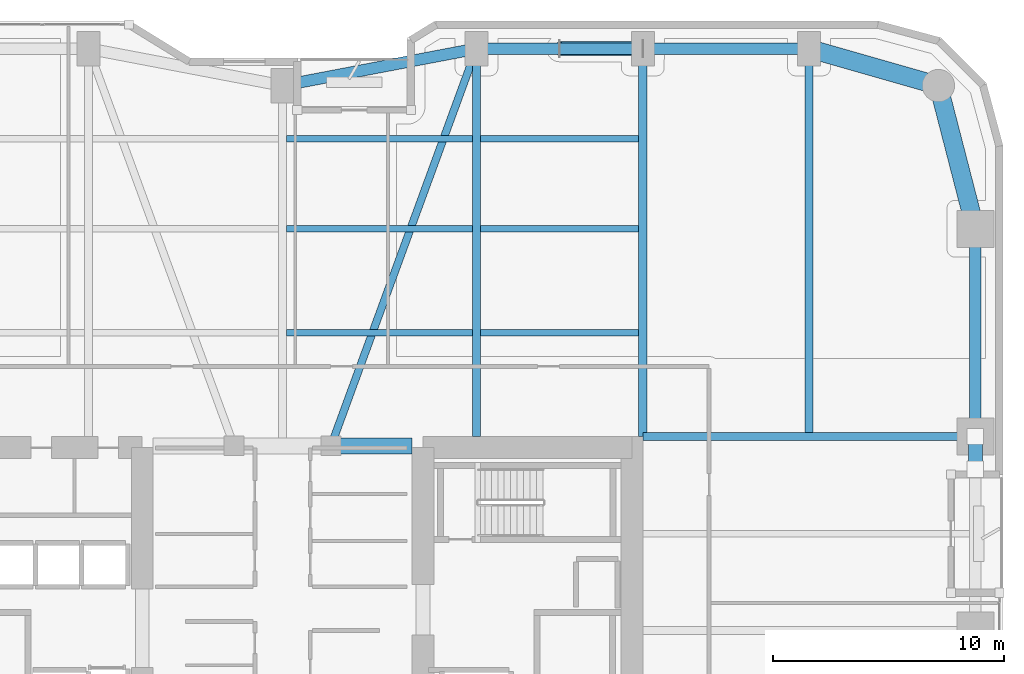
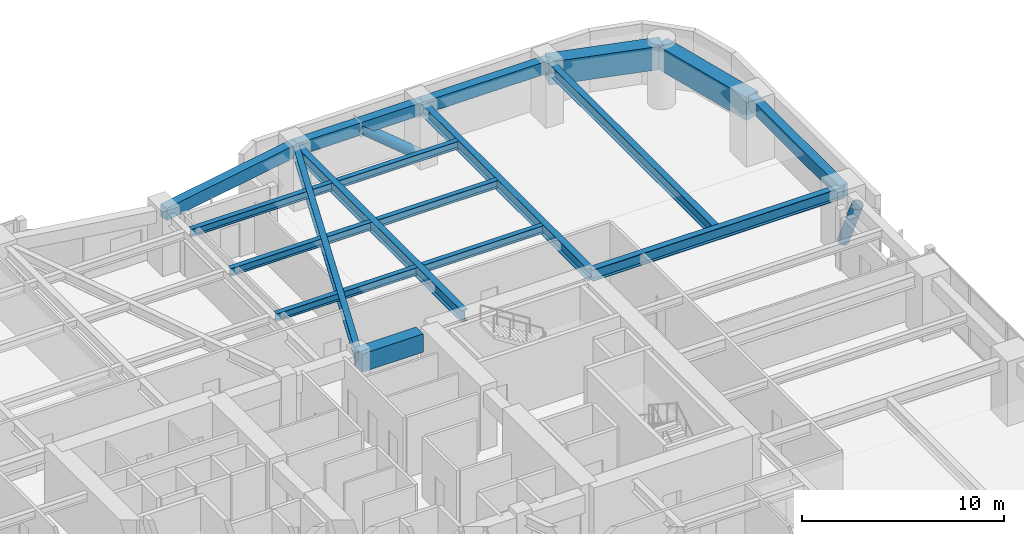
# One storey, part 18 of 28: 18 beams, 2 members.
"""IFC4 building model written with IfcOpenShell, lengths in metres."""

from ifc_helpers import new_model, si_unit, direction, frame, origin, origin_2d, place, context, subcontext, project, spatial, rectangle, hollow_circle, i_section, extrude, material, material_profile, profile_set, type_object, element, save


model = new_model("IFC4")

# Units and contexts
model_context = context("Model", 3, precision=1e-05, world=origin(), true_north=direction((0.0, 1.0)))
body_context = subcontext(model_context, "Body", "Model", "MODEL_VIEW")
ifc_project = project(units=[si_unit("LENGTHUNIT", "METRE"), si_unit("AREAUNIT", "SQUARE_METRE"), si_unit("VOLUMEUNIT", "CUBIC_METRE"), si_unit("PLANEANGLEUNIT", "RADIAN"), si_unit("MASSUNIT", "GRAM", prefix="KILO")], contexts=[model_context])

# Site, building, storey
site_placement = place(None, origin())
site = spatial("IfcSite", under=ifc_project, at=site_placement, CompositionType="ELEMENT")
building_placement = place(site_placement, origin())
building = spatial("IfcBuilding", under=site, at=building_placement, Name="Kiyonajd Concourse Tower", CompositionType="ELEMENT")
storey_placement = place(building_placement, frame((0.0, 0.0, 56.699951171875)))
storey = spatial("IfcBuildingStorey", under=building, at=storey_placement, Name="L15", CompositionType="ELEMENT", Elevation=56.699951171875)

# Beams
ifc_material_1 = material(Name="Concrete C70/85", Category="concrete")
ifc_material_profile_1 = material_profile(ifc_material_1, rectangle(XDim=0.699951171875, YDim=1.10009765625, at=origin_2d()), Name="RCBM-700x1100")
ifc_profile_set_1 = profile_set([ifc_material_profile_1], Name="Concrete C70/85")
beam_type_1 = type_object("IfcBeamType", Name="BM-COUP-1100", PredefinedType="LINTEL", material=ifc_profile_set_1)
beam_1_placement = place(storey_placement, frame((50.10009765625, 44.0, 3.090087890625), z_axis=(1.0, 0.0, 0.0), x_axis=(0.0, 1.0, 0.0)))
element("IfcBeam", 1, at=beam_1_placement, inside=storey, type_object=beam_type_1, Name="L15 Core Coupling Beam N3", PredefinedType="LINTEL", context=body_context, shape_type="SweptSolid", body=[
    extrude(rectangle(XDim=0.699951171875, YDim=1.10009765625, at=origin_2d()), origin(), (0.0, 0.0, 1.0), 3.5),
])
ifc_material_2 = material(Name="Steel ASTM A992 Grade 50", Category="steel")
ifc_material_profile_2 = material_profile(ifc_material_2, i_section(OverallWidth=0.280029296875, OverallDepth=0.462890625, WebThickness=0.0107421875, FlangeThickness=0.017333984375, at=origin_2d()), Name="W460X113")
ifc_profile_set_2 = profile_set([ifc_material_profile_2], Name="Steel ASTM A992 Grade 50")
beam_type_2 = type_object("IfcBeamType", Name="BM-JST-460A", PredefinedType="JOIST", material=ifc_profile_set_2)
beam_2_placement = place(storey_placement, frame((48.177490234375, 48.89990234375, 3.408447265625), z_axis=(1.0, 0.0, 0.0), x_axis=(0.0, 1.0, 0.0)))
element("IfcBeam", 2, at=beam_2_placement, inside=storey, type_object=beam_type_2, Name="L15 Secondary Floor Joist", PredefinedType="JOIST", context=body_context, shape_type="SweptSolid", body=[
    extrude(i_section(OverallWidth=0.280029296875, OverallDepth=0.462890625, WebThickness=0.0107421875, FlangeThickness=0.017333984375, at=origin_2d()), origin(), (0.0, 0.0, 1.0), 8.044921875),
])
beam_3_placement = place(storey_placement, frame((56.577392578125, 48.89990234375, 3.408447265625), z_axis=(1.0, 0.0, 0.0), x_axis=(0.0, 1.0, 0.0)))
element("IfcBeam", 3, at=beam_3_placement, inside=storey, type_object=beam_type_2, Name="L15 Secondary Floor Joist", PredefinedType="JOIST", context=body_context, shape_type="SweptSolid", body=[
    extrude(i_section(OverallWidth=0.280029296875, OverallDepth=0.462890625, WebThickness=0.0107421875, FlangeThickness=0.017333984375, at=origin_2d()), origin(), (0.0, 0.0, 1.0), 6.84521484375),
])
beam_4_placement = place(storey_placement, frame((48.177490234375, 53.39990234375, 3.408447265625), z_axis=(1.0, 0.0, 0.0), x_axis=(0.0, 1.0, 0.0)))
element("IfcBeam", 4, at=beam_4_placement, inside=storey, type_object=beam_type_2, Name="L15 Secondary Floor Joist", PredefinedType="JOIST", context=body_context, shape_type="SweptSolid", body=[
    extrude(i_section(OverallWidth=0.280029296875, OverallDepth=0.462890625, WebThickness=0.0107421875, FlangeThickness=0.017333984375, at=origin_2d()), origin(), (0.0, 0.0, 1.0), 8.044921875),
])
beam_5_placement = place(storey_placement, frame((56.577392578125, 53.39990234375, 3.408447265625), z_axis=(1.0, 0.0, 0.0), x_axis=(0.0, 1.0, 0.0)))
element("IfcBeam", 5, at=beam_5_placement, inside=storey, type_object=beam_type_2, Name="L15 Secondary Floor Joist", PredefinedType="JOIST", context=body_context, shape_type="SweptSolid", body=[
    extrude(i_section(OverallWidth=0.280029296875, OverallDepth=0.462890625, WebThickness=0.0107421875, FlangeThickness=0.017333984375, at=origin_2d()), origin(), (0.0, 0.0, 1.0), 6.84521484375),
])
beam_6_placement = place(storey_placement, frame((48.177490234375, 57.300048828125, 3.408447265625), z_axis=(1.0, 0.0, 0.0), x_axis=(0.0, 1.0, 0.0)))
element("IfcBeam", 6, at=beam_6_placement, inside=storey, type_object=beam_type_2, Name="L15 Secondary Floor Joist", PredefinedType="JOIST", context=body_context, shape_type="SweptSolid", body=[
    extrude(i_section(OverallWidth=0.280029296875, OverallDepth=0.462890625, WebThickness=0.0107421875, FlangeThickness=0.017333984375, at=origin_2d()), origin(), (0.0, 0.0, 1.0), 8.044921875),
])
beam_7_placement = place(storey_placement, frame((56.577392578125, 57.300048828125, 3.408447265625), z_axis=(1.0, 0.0, 0.0), x_axis=(0.0, 1.0, 0.0)))
element("IfcBeam", 7, at=beam_7_placement, inside=storey, type_object=beam_type_2, Name="L15 Secondary Floor Joist", PredefinedType="JOIST", context=body_context, shape_type="SweptSolid", body=[
    extrude(i_section(OverallWidth=0.280029296875, OverallDepth=0.462890625, WebThickness=0.0107421875, FlangeThickness=0.017333984375, at=origin_2d()), origin(), (0.0, 0.0, 1.0), 6.84521484375),
])
ifc_material_3 = material(Name="Precast concrete C50/60", Category="concrete")
ifc_material_profile_3 = material_profile(ifc_material_3, rectangle(XDim=0.5, YDim=0.75, at=origin_2d()), Name="RCBM-500x750")
ifc_profile_set_3 = profile_set([ifc_material_profile_3], Name="Precast concrete C50/60")
beam_type_3 = type_object("IfcBeamType", Name="BM-SPAN-RC", PredefinedType="SPANDREL", material=ifc_profile_set_3)
beam_8_placement = place(storey_placement, frame((78.0, 44.39990234375, 3.26513671875), z_axis=(0.0, 1.0, 0.0), x_axis=(-1.0, 0.0, 0.0)))
element("IfcBeam", 8, at=beam_8_placement, inside=storey, type_object=beam_type_3, Name="L15 Perimeter Bundled Tube Spandrel", PredefinedType="SPANDREL", context=body_context, shape_type="SweptSolid", body=[
    extrude(rectangle(XDim=0.5, YDim=0.75, at=origin_2d()), origin(), (0.0, 0.0, 1.0), 9.0),
])
beam_9_placement = place(storey_placement, frame((70.800048828125, 61.199951171875, 3.26513671875), z_axis=(-1.0, 0.0, 0.0), x_axis=(0.0, -1.0, 0.0)))
element("IfcBeam", 9, at=beam_9_placement, inside=storey, type_object=beam_type_3, Name="L15 Perimeter Bundled Tube Spandrel", PredefinedType="SPANDREL", context=body_context, shape_type="SweptSolid", body=[
    extrude(rectangle(XDim=0.5, YDim=0.75, at=origin_2d()), origin(), (0.0, 0.0, 1.0), 7.199951171875),
])
beam_10_placement = place(storey_placement, frame((63.60009765625, 61.199951171875, 3.26513671875), z_axis=(-1.0, 0.0, 0.0), x_axis=(0.0, -1.0, 0.0)))
element("IfcBeam", 10, at=beam_10_placement, inside=storey, type_object=beam_type_3, Name="L15 Perimeter Bundled Tube Spandrel", PredefinedType="SPANDREL", context=body_context, shape_type="SweptSolid", body=[
    extrude(rectangle(XDim=0.5, YDim=0.75, at=origin_2d()), origin(), (0.0, 0.0, 1.0), 7.2001953125),
])
beam_11_placement = place(storey_placement, frame((56.39990234375, 61.199951171875, 3.26513671875), z_axis=(-0.982341315253, -0.187097675953, 0.0), x_axis=(0.187097675953, -0.982341315253, 0.0)))
element("IfcBeam", 11, at=beam_11_placement, inside=storey, type_object=beam_type_3, Name="L15 Perimeter Bundled Tube Spandrel", PredefinedType="SPANDREL", context=body_context, shape_type="SweptSolid", body=[
    extrude(rectangle(XDim=0.5, YDim=0.75, at=origin_2d()), origin(), (0.0, 0.0, 1.0), 8.55078125),
])
ifc_material_profile_4 = material_profile(ifc_material_2, i_section(OverallWidth=0.326904296875, OverallDepth=0.6220703125, WebThickness=0.015380859375, FlangeThickness=0.0244140625, at=origin_2d()), Name="W610X195")
ifc_profile_set_4 = profile_set([ifc_material_profile_4], Name="Steel ASTM A992 Grade 50")
beam_type_4 = type_object("IfcBeamType", Name="BM-TWR-610A", PredefinedType="BEAM", material=ifc_profile_set_4)
beam_12_placement = place(storey_placement, frame((50.10009765625, 44.0, 3.3291015625), z_axis=(0.343925269715, 0.938997022813, 0.0), x_axis=(-0.938997022813, 0.343925269715, 0.0)))
element("IfcBeam", 12, at=beam_12_placement, inside=storey, type_object=beam_type_4, Name="L15 Core Tie Girder", PredefinedType="BEAM", context=body_context, shape_type="SweptSolid", body=[
    extrude(i_section(OverallWidth=0.326904296875, OverallDepth=0.6220703125, WebThickness=0.015380859375, FlangeThickness=0.0244140625, at=origin_2d()), origin(), (0.0, 0.0, 1.0), 18.3173828125),
])
ifc_material_profile_5 = material_profile(ifc_material_2, i_section(OverallWidth=0.35498046875, OverallDepth=0.695068359375, WebThickness=0.015380859375, FlangeThickness=0.02490234375, at=origin_2d()), Name="W690X217")
ifc_profile_set_5 = profile_set([ifc_material_profile_5], Name="Steel ASTM A992 Grade 50")
beam_type_5 = type_object("IfcBeamType", Name="BM-TWR-690", PredefinedType="BEAM", material=ifc_profile_set_5)
for number, where, z_axis, x_axis, name in (
    (13, (56.39990234375, 44.39990234375, 3.29248046875), (0.0, 1.0, 0.0), (-1.0, 0.0, 0.0), "L15 North Lease Girder"),
    (14, (63.60009765625, 44.39990234375, 3.29248046875), (0.0, 1.0, 0.0), (-1.0, 0.0, 0.0), "L15 North Lease Girder"),
    (15, (70.800048828125, 44.39990234375, 3.29248046875), (0.0, 1.0, 0.0), (-1.0, 0.0, 0.0), "L15 North Lease Girder"),
):
    element("IfcBeam", number, at=place(storey_placement, frame(where, z_axis=z_axis, x_axis=x_axis)), inside=storey, type_object=beam_type_5, Name=name, PredefinedType="BEAM", context=body_context, shape_type="SweptSolid", body=[
        extrude(i_section(OverallWidth=0.35498046875, OverallDepth=0.695068359375, WebThickness=0.015380859375, FlangeThickness=0.02490234375, at=origin_2d()), origin(), (0.0, 0.0, 1.0), 16.800048828125),
    ])
beam_13_placement = place(storey_placement, frame((63.60009765625, 44.39990234375, 3.29248046875), z_axis=(1.0, 0.0, 0.0), x_axis=(0.0, 1.0, 0.0)))
element("IfcBeam", 16, at=beam_13_placement, inside=storey, type_object=beam_type_5, Name="L15 East Lease Girder", PredefinedType="BEAM", context=body_context, shape_type="SweptSolid", body=[
    extrude(i_section(OverallWidth=0.35498046875, OverallDepth=0.695068359375, WebThickness=0.015380859375, FlangeThickness=0.02490234375, at=origin_2d()), origin(), (0.0, 0.0, 1.0), 14.39990234375),
])
ifc_material_4 = material(Name="Concrete C60/75", Category="concrete")
ifc_material_profile_6 = material_profile(ifc_material_4, rectangle(XDim=0.800048828125, YDim=1.39990234375, at=origin_2d()), Name="RCBM-800x1400")
ifc_profile_set_6 = profile_set([ifc_material_profile_6], Name="Concrete C60/75")
beam_type_6 = type_object("IfcBeamType", Name="BM-XFER-RC", PredefinedType="BEAM", material=ifc_profile_set_6)
beam_14_placement = place(storey_placement, frame((78.0, 53.39990234375, 2.93994140625), z_axis=(-0.249884937687, 0.968275538221, 0.0), x_axis=(-0.968275538221, -0.249884937687, 0.0)))
element("IfcBeam", 17, at=beam_14_placement, inside=storey, type_object=beam_type_6, Name="L15 Perimeter Bundled Tube Spandrel", PredefinedType="BEAM", context=body_context, shape_type="SweptSolid", body=[
    extrude(rectangle(XDim=0.800048828125, YDim=1.39990234375, at=origin_2d()), origin(), (0.0, 0.0, 1.0), 6.4033203125),
])
beam_15_placement = place(storey_placement, frame((76.39990234375, 59.60009765625, 2.93994140625), z_axis=(-0.961528693205, 0.274704517878, 0.0), x_axis=(-0.274704517878, -0.961528693205, 0.0)))
element("IfcBeam", 18, at=beam_15_placement, inside=storey, type_object=beam_type_6, Name="L15 Perimeter Bundled Tube Spandrel", PredefinedType="BEAM", context=body_context, shape_type="SweptSolid", body=[
    extrude(rectangle(XDim=0.800048828125, YDim=1.39990234375, at=origin_2d()), origin(), (0.0, 0.0, 1.0), 5.823974609375),
])

# Members
ifc_material_5 = material(Name="Steel ASTM A572 Grade 50", Category="steel")
ifc_material_profile_7 = material_profile(ifc_material_5, hollow_circle(Radius=0.304931640625, WallThickness=0.02490234375, at=origin_2d()), Name="CHS-610x25")
ifc_profile_set_7 = profile_set([ifc_material_profile_7], Name="Steel ASTM A572 Grade 50")
member_type = type_object("IfcMemberType", Name="MB-PB-LOW", PredefinedType="BRACE", material=ifc_profile_set_7)
member_1_placement = place(storey_placement, frame((63.60009765625, 61.199951171875, 0.300048828125), z_axis=(-0.769280705518, 0.0, 0.638910945373), x_axis=(0.0, -1.0, 0.0)))
element("IfcMember", 19, at=member_1_placement, inside=storey, type_object=member_type, Name="L15 Lower Zone Welded Tube Brace PBN", PredefinedType="BRACE", context=body_context, shape_type="SweptSolid", body=[
    extrude(hollow_circle(Radius=0.304931640625, WallThickness=0.02490234375, at=origin_2d()), origin(), (0.0, 0.0, 1.0), 4.679931640625),
])
member_2_placement = place(storey_placement, frame((78.0, 44.39990234375, 0.300048828125), z_axis=(0.0, -0.424022702926, 0.905651559598), x_axis=(1.0, 0.0, 0.0)))
element("IfcMember", 20, at=member_2_placement, inside=storey, type_object=member_type, Name="L15 Lower Zone Welded Tube Brace PBE", PredefinedType="BRACE", context=body_context, shape_type="SweptSolid", body=[
    extrude(hollow_circle(Radius=0.304931640625, WallThickness=0.02490234375, at=origin_2d()), origin(), (0.0, 0.0, 1.0), 3.301513671875),
])

save(model, "model.ifc")
